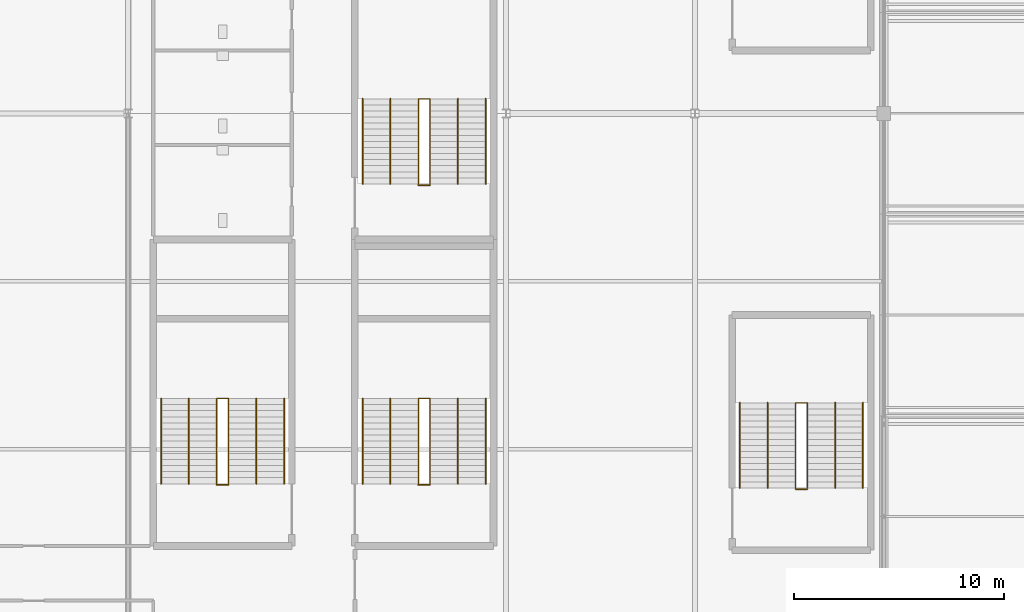
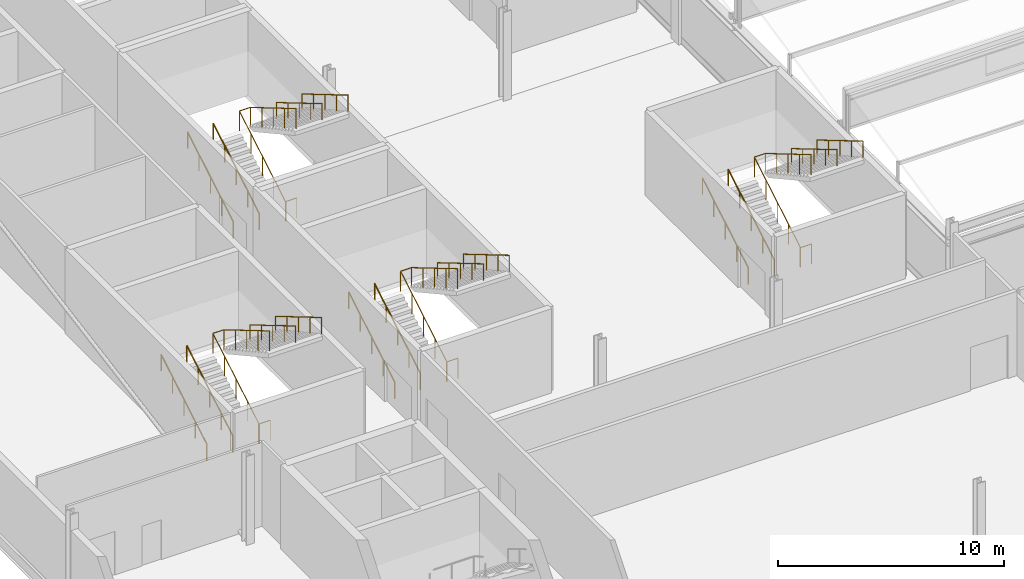
# One storey, part 127 of 136: 24 railings.
"""IFC4 building model written with IfcOpenShell, lengths in metres."""

from ifc_helpers import new_model, si_unit, direction, frame, origin, origin_2d, place, context, subcontext, project, spatial, circle, extrude, material, type_object, element, save


model = new_model("IFC4")

# Units and contexts
model_context = context("Model", 3, precision=1e-05, world=origin(), true_north=direction((0.0, 1.0)))
body_context = subcontext(model_context, "Body", "Model", "MODEL_VIEW")
ifc_project = project(units=[si_unit("LENGTHUNIT", "METRE"), si_unit("AREAUNIT", "SQUARE_METRE"), si_unit("VOLUMEUNIT", "CUBIC_METRE"), si_unit("PLANEANGLEUNIT", "RADIAN"), si_unit("MASSUNIT", "GRAM", prefix="KILO")], contexts=[model_context])

# Site, building, storey
site_placement = place(None, origin())
site = spatial("IfcSite", under=ifc_project, at=site_placement, CompositionType="ELEMENT")
building_placement = place(site_placement, origin())
building = spatial("IfcBuilding", under=site, at=building_placement, Name="Kisiwana Market Hall", CompositionType="ELEMENT")
storey_placement = place(building_placement, frame((0.0, 0.0, 16.800048828125)))
storey = spatial("IfcBuildingStorey", under=building, at=storey_placement, Name="L03", CompositionType="ELEMENT", Elevation=16.800048828125)

# Railings
ifc_material_1 = material(Name="Steel S275", Category="steel")
railing_type_1 = type_object("IfcRailingType", Name="RL-GUARD-1100", PredefinedType="GUARDRAIL", material=ifc_material_1)
railing_1_placement = place(storey_placement, frame((13.219970703125, 42.360107421875, 0.0)))
element("IfcRailing", 1, at=railing_1_placement, inside=storey, type_object=railing_type_1, Name="Stair ST-W3-L03 inner-well guardrail (RL-659)", PredefinedType="GUARDRAIL", context=body_context, shape_type="SweptSolid", body=[
    extrude(circle(Radius=0.02392578125, at=origin_2d()), frame((0.0, 0.0, 1.076171875), z_axis=(0.0, 0.860840976868, 0.508874063541), x_axis=(-1.0, 0.0, 0.0)), (0.0, 0.0, 1.0), 4.716064453125),
    extrude(circle(Radius=0.02392578125, at=origin_2d()), frame((0.0, 4.059814453125, 3.47607421875), z_axis=(1.0, 0.0, 0.0), x_axis=(0.0, 1.0, 0.0)), (0.0, 0.0, 1.0), 0.56005859375),
    extrude(circle(Radius=0.02392578125, at=origin_2d()), frame((0.56005859375, 4.059814453125, 3.47607421875), z_axis=(0.0, -0.860818299379, 0.50891242415), x_axis=(1.0, 0.0, 0.0)), (0.0, 0.0, 1.0), 4.71630859375),
    extrude(circle(Radius=0.02099609375, at=origin_2d()), origin(), (0.0, 0.0, 1.0), 1.052001953125),
    extrude(circle(Radius=0.02099609375, at=origin_2d()), frame((0.0, 1.014892578125, 0.60009765625)), (0.0, 0.0, 1.0), 1.052001953125),
    extrude(circle(Radius=0.02099609375, at=origin_2d()), frame((0.0, 2.02978515625, 1.199951171875)), (0.0, 0.0, 1.0), 1.052001953125),
    extrude(circle(Radius=0.02099609375, at=origin_2d()), frame((0.0, 3.044921875, 1.7998046875)), (0.0, 0.0, 1.0), 1.052001953125),
    extrude(circle(Radius=0.02099609375, at=origin_2d()), frame((0.0, 4.059814453125, 2.39990234375)), (0.0, 0.0, 1.0), 1.052001953125),
    extrude(circle(Radius=0.02099609375, at=origin_2d()), frame((0.56005859375, 4.059814453125, 2.39990234375)), (0.0, 0.0, 1.0), 1.052001953125),
    extrude(circle(Radius=0.02099609375, at=origin_2d()), frame((0.56005859375, 3.044921875, 3.0)), (0.0, 0.0, 1.0), 1.052001953125),
    extrude(circle(Radius=0.02099609375, at=origin_2d()), frame((0.56005859375, 2.02978515625, 3.60009765625)), (0.0, 0.0, 1.0), 1.052001953125),
    extrude(circle(Radius=0.02099609375, at=origin_2d()), frame((0.56005859375, 1.014892578125, 4.199951171875)), (0.0, 0.0, 1.0), 1.052001953125),
    extrude(circle(Radius=0.02099609375, at=origin_2d()), frame((0.56005859375, 0.0, 4.800048828125)), (0.0, 0.0, 1.0), 1.052001953125),
])
railing_2_placement = place(storey_placement, frame((13.219970703125, 42.31005859375, 0.0)))
element("IfcRailing", 2, at=railing_2_placement, inside=storey, type_object=railing_type_1, Name="Stair ST-W3-L03 landing edge guardrail (RL-664)", PredefinedType="GUARDRAIL", context=body_context, shape_type="SweptSolid", body=[
    extrude(circle(Radius=0.02392578125, at=origin_2d()), frame((0.0, 0.0, 1.076171875), z_axis=(1.0, 0.0, 0.0), x_axis=(0.0, 1.0, 0.0)), (0.0, 0.0, 1.0), 0.56005859375),
    extrude(circle(Radius=0.02099609375, at=origin_2d()), origin(), (0.0, 0.0, 1.0), 1.052001953125),
    extrude(circle(Radius=0.02099609375, at=origin_2d()), frame((0.56005859375, 0.0, 0.0)), (0.0, 0.0, 1.0), 1.052001953125),
])
railing_3_placement = place(storey_placement, frame((22.820068359375, 42.360107421875, 0.0)))
element("IfcRailing", 3, at=railing_3_placement, inside=storey, type_object=railing_type_1, Name="Stair ST-W7-L03 inner-well guardrail (RL-683)", PredefinedType="GUARDRAIL", context=body_context, shape_type="SweptSolid", body=[
    extrude(circle(Radius=0.02392578125, at=origin_2d()), frame((0.0, 0.0, 1.076171875), z_axis=(0.0, 0.860840976868, 0.508874063541), x_axis=(-1.0, 0.0, 0.0)), (0.0, 0.0, 1.0), 4.716064453125),
    extrude(circle(Radius=0.02392578125, at=origin_2d()), frame((0.0, 4.059814453125, 3.47607421875), z_axis=(1.0, 0.0, 0.0), x_axis=(0.0, 1.0, 0.0)), (0.0, 0.0, 1.0), 0.559814453125),
    extrude(circle(Radius=0.02392578125, at=origin_2d()), frame((0.559814453125, 4.059814453125, 3.47607421875), z_axis=(0.0, -0.860818299379, 0.50891242415), x_axis=(1.0, 0.0, 0.0)), (0.0, 0.0, 1.0), 4.71630859375),
    extrude(circle(Radius=0.02099609375, at=origin_2d()), origin(), (0.0, 0.0, 1.0), 1.052001953125),
    extrude(circle(Radius=0.02099609375, at=origin_2d()), frame((0.0, 1.014892578125, 0.60009765625)), (0.0, 0.0, 1.0), 1.052001953125),
    extrude(circle(Radius=0.02099609375, at=origin_2d()), frame((0.0, 2.02978515625, 1.199951171875)), (0.0, 0.0, 1.0), 1.052001953125),
    extrude(circle(Radius=0.02099609375, at=origin_2d()), frame((0.0, 3.044921875, 1.7998046875)), (0.0, 0.0, 1.0), 1.052001953125),
    extrude(circle(Radius=0.02099609375, at=origin_2d()), frame((0.0, 4.059814453125, 2.39990234375)), (0.0, 0.0, 1.0), 1.052001953125),
    extrude(circle(Radius=0.02099609375, at=origin_2d()), frame((0.559814453125, 4.059814453125, 2.39990234375)), (0.0, 0.0, 1.0), 1.052001953125),
    extrude(circle(Radius=0.02099609375, at=origin_2d()), frame((0.559814453125, 3.044921875, 3.0)), (0.0, 0.0, 1.0), 1.052001953125),
    extrude(circle(Radius=0.02099609375, at=origin_2d()), frame((0.559814453125, 2.02978515625, 3.60009765625)), (0.0, 0.0, 1.0), 1.052001953125),
    extrude(circle(Radius=0.02099609375, at=origin_2d()), frame((0.559814453125, 1.014892578125, 4.199951171875)), (0.0, 0.0, 1.0), 1.052001953125),
    extrude(circle(Radius=0.02099609375, at=origin_2d()), frame((0.559814453125, 0.0, 4.800048828125)), (0.0, 0.0, 1.0), 1.052001953125),
])
railing_4_placement = place(storey_placement, frame((22.820068359375, 42.31005859375, 0.0)))
element("IfcRailing", 4, at=railing_4_placement, inside=storey, type_object=railing_type_1, Name="Stair ST-W7-L03 landing edge guardrail (RL-688)", PredefinedType="GUARDRAIL", context=body_context, shape_type="SweptSolid", body=[
    extrude(circle(Radius=0.02392578125, at=origin_2d()), frame((0.0, 0.0, 1.076171875), z_axis=(1.0, 0.0, 0.0), x_axis=(0.0, 1.0, 0.0)), (0.0, 0.0, 1.0), 0.559814453125),
    extrude(circle(Radius=0.02099609375, at=origin_2d()), origin(), (0.0, 0.0, 1.0), 1.052001953125),
    extrude(circle(Radius=0.02099609375, at=origin_2d()), frame((0.559814453125, 0.0, 0.0)), (0.0, 0.0, 1.0), 1.052001953125),
])
railing_5_placement = place(storey_placement, frame((40.7900390625, 42.159912109375, 0.0)))
element("IfcRailing", 5, at=railing_5_placement, inside=storey, type_object=railing_type_1, Name="Stair ST-W9-L03 inner-well guardrail (RL-707)", PredefinedType="GUARDRAIL", context=body_context, shape_type="SweptSolid", body=[
    extrude(circle(Radius=0.02392578125, at=origin_2d()), frame((0.0, 0.0, 1.076171875), z_axis=(0.0, 0.8608543813, 0.508851387142), x_axis=(-1.0, 0.0, 0.0)), (0.0, 0.0, 1.0), 4.71630859375),
    extrude(circle(Radius=0.02392578125, at=origin_2d()), frame((0.0, 4.06005859375, 3.47607421875), z_axis=(1.0, 0.0, 0.0), x_axis=(0.0, 1.0, 0.0)), (0.0, 0.0, 1.0), 0.56005859375),
    extrude(circle(Radius=0.02392578125, at=origin_2d()), frame((0.56005859375, 4.06005859375, 3.47607421875), z_axis=(0.0, -0.860831705478, 0.508889747237), x_axis=(1.0, 0.0, 0.0)), (0.0, 0.0, 1.0), 4.716552734375),
    extrude(circle(Radius=0.02099609375, at=origin_2d()), origin(), (0.0, 0.0, 1.0), 1.052001953125),
    extrude(circle(Radius=0.02099609375, at=origin_2d()), frame((0.0, 1.01513671875, 0.60009765625)), (0.0, 0.0, 1.0), 1.052001953125),
    extrude(circle(Radius=0.02099609375, at=origin_2d()), frame((0.0, 2.030029296875, 1.199951171875)), (0.0, 0.0, 1.0), 1.052001953125),
    extrude(circle(Radius=0.02099609375, at=origin_2d()), frame((0.0, 3.044921875, 1.7998046875)), (0.0, 0.0, 1.0), 1.052001953125),
    extrude(circle(Radius=0.02099609375, at=origin_2d()), frame((0.0, 4.06005859375, 2.39990234375)), (0.0, 0.0, 1.0), 1.052001953125),
    extrude(circle(Radius=0.02099609375, at=origin_2d()), frame((0.56005859375, 4.06005859375, 2.39990234375)), (0.0, 0.0, 1.0), 1.052001953125),
    extrude(circle(Radius=0.02099609375, at=origin_2d()), frame((0.56005859375, 3.044921875, 3.0)), (0.0, 0.0, 1.0), 1.052001953125),
    extrude(circle(Radius=0.02099609375, at=origin_2d()), frame((0.56005859375, 2.030029296875, 3.60009765625)), (0.0, 0.0, 1.0), 1.052001953125),
    extrude(circle(Radius=0.02099609375, at=origin_2d()), frame((0.56005859375, 1.01513671875, 4.199951171875)), (0.0, 0.0, 1.0), 1.052001953125),
    extrude(circle(Radius=0.02099609375, at=origin_2d()), frame((0.56005859375, 0.0, 4.800048828125)), (0.0, 0.0, 1.0), 1.052001953125),
])
railing_6_placement = place(storey_placement, frame((40.7900390625, 42.110107421875, 0.0)))
element("IfcRailing", 6, at=railing_6_placement, inside=storey, type_object=railing_type_1, Name="Stair ST-W9-L03 landing edge guardrail (RL-712)", PredefinedType="GUARDRAIL", context=body_context, shape_type="SweptSolid", body=[
    extrude(circle(Radius=0.02392578125, at=origin_2d()), frame((0.0, 0.0, 1.076171875), z_axis=(1.0, 0.0, 0.0), x_axis=(0.0, 1.0, 0.0)), (0.0, 0.0, 1.0), 0.56005859375),
    extrude(circle(Radius=0.02099609375, at=origin_2d()), origin(), (0.0, 0.0, 1.0), 1.052001953125),
    extrude(circle(Radius=0.02099609375, at=origin_2d()), frame((0.56005859375, 0.0, 0.0)), (0.0, 0.0, 1.0), 1.052001953125),
])
railing_7_placement = place(storey_placement, frame((22.820068359375, 56.639892578125, 0.0)))
element("IfcRailing", 7, at=railing_7_placement, inside=storey, type_object=railing_type_1, Name="Stair ST-W5-L03 inner-well guardrail (RL-731)", PredefinedType="GUARDRAIL", context=body_context, shape_type="SweptSolid", body=[
    extrude(circle(Radius=0.02392578125, at=origin_2d()), frame((0.0, 0.0, 1.076171875), z_axis=(0.0, 0.8608543813, 0.508851387142), x_axis=(-1.0, 0.0, 0.0)), (0.0, 0.0, 1.0), 4.71630859375),
    extrude(circle(Radius=0.02392578125, at=origin_2d()), frame((0.0, 4.06005859375, 3.47607421875), z_axis=(1.0, 0.0, 0.0), x_axis=(0.0, 1.0, 0.0)), (0.0, 0.0, 1.0), 0.559814453125),
    extrude(circle(Radius=0.02392578125, at=origin_2d()), frame((0.559814453125, 4.06005859375, 3.47607421875), z_axis=(0.0, -0.860831705478, 0.508889747237), x_axis=(1.0, 0.0, 0.0)), (0.0, 0.0, 1.0), 4.716552734375),
    extrude(circle(Radius=0.02099609375, at=origin_2d()), origin(), (0.0, 0.0, 1.0), 1.052001953125),
    extrude(circle(Radius=0.02099609375, at=origin_2d()), frame((0.0, 1.01513671875, 0.60009765625)), (0.0, 0.0, 1.0), 1.052001953125),
    extrude(circle(Radius=0.02099609375, at=origin_2d()), frame((0.0, 2.030029296875, 1.199951171875)), (0.0, 0.0, 1.0), 1.052001953125),
    extrude(circle(Radius=0.02099609375, at=origin_2d()), frame((0.0, 3.044921875, 1.7998046875)), (0.0, 0.0, 1.0), 1.052001953125),
    extrude(circle(Radius=0.02099609375, at=origin_2d()), frame((0.0, 4.06005859375, 2.39990234375)), (0.0, 0.0, 1.0), 1.052001953125),
    extrude(circle(Radius=0.02099609375, at=origin_2d()), frame((0.559814453125, 4.06005859375, 2.39990234375)), (0.0, 0.0, 1.0), 1.052001953125),
    extrude(circle(Radius=0.02099609375, at=origin_2d()), frame((0.559814453125, 3.044921875, 3.0)), (0.0, 0.0, 1.0), 1.052001953125),
    extrude(circle(Radius=0.02099609375, at=origin_2d()), frame((0.559814453125, 2.030029296875, 3.60009765625)), (0.0, 0.0, 1.0), 1.052001953125),
    extrude(circle(Radius=0.02099609375, at=origin_2d()), frame((0.559814453125, 1.01513671875, 4.199951171875)), (0.0, 0.0, 1.0), 1.052001953125),
    extrude(circle(Radius=0.02099609375, at=origin_2d()), frame((0.559814453125, 0.0, 4.800048828125)), (0.0, 0.0, 1.0), 1.052001953125),
])
railing_8_placement = place(storey_placement, frame((22.820068359375, 56.590087890625, 0.0)))
element("IfcRailing", 8, at=railing_8_placement, inside=storey, type_object=railing_type_1, Name="Stair ST-W5-L03 landing edge guardrail (RL-736)", PredefinedType="GUARDRAIL", context=body_context, shape_type="SweptSolid", body=[
    extrude(circle(Radius=0.02392578125, at=origin_2d()), frame((0.0, 0.0, 1.076171875), z_axis=(1.0, 0.0, 0.0), x_axis=(0.0, 1.0, 0.0)), (0.0, 0.0, 1.0), 0.559814453125),
    extrude(circle(Radius=0.02099609375, at=origin_2d()), origin(), (0.0, 0.0, 1.0), 1.052001953125),
    extrude(circle(Radius=0.02099609375, at=origin_2d()), frame((0.559814453125, 0.0, 0.0)), (0.0, 0.0, 1.0), 1.052001953125),
])
ifc_material_2 = material(Name="Steel S275", Category="steel")
railing_type_2 = type_object("IfcRailingType", Name="RL-HAND-900", PredefinedType="HANDRAIL", material=ifc_material_2)
railing_9_placement = place(storey_placement, frame((10.570068359375, 42.360107421875, 0.0)))
element("IfcRailing", 9, at=railing_9_placement, inside=storey, type_object=railing_type_2, Name="Stair ST-W3-L03 flight 1 handrail (RL-660)", PredefinedType="HANDRAIL", context=body_context, shape_type="SweptSolid", body=[
    extrude(circle(Radius=0.02392578125, at=origin_2d()), frame((0.0, 0.0, 0.8759765625), z_axis=(0.0, 0.860840976868, 0.508874063541), x_axis=(-1.0, 0.0, 0.0)), (0.0, 0.0, 1.0), 4.716064453125),
    extrude(circle(Radius=0.02099609375, at=origin_2d()), origin(), (0.0, 0.0, 1.0), 0.851806640625),
    extrude(circle(Radius=0.02099609375, at=origin_2d()), frame((0.0, 1.014892578125, 0.60009765625)), (0.0, 0.0, 1.0), 0.851806640625),
    extrude(circle(Radius=0.02099609375, at=origin_2d()), frame((0.0, 2.02978515625, 1.199951171875)), (0.0, 0.0, 1.0), 0.851806640625),
    extrude(circle(Radius=0.02099609375, at=origin_2d()), frame((0.0, 3.044921875, 1.7998046875)), (0.0, 0.0, 1.0), 0.851806640625),
    extrude(circle(Radius=0.02099609375, at=origin_2d()), frame((0.0, 4.059814453125, 2.39990234375)), (0.0, 0.0, 1.0), 0.851806640625),
])
railing_10_placement = place(storey_placement, frame((16.429931640625, 46.419921875, 2.39990234375)))
element("IfcRailing", 10, at=railing_10_placement, inside=storey, type_object=railing_type_2, Name="Stair ST-W3-L03 flight 2 handrail (RL-661)", PredefinedType="HANDRAIL", context=body_context, shape_type="SweptSolid", body=[
    extrude(circle(Radius=0.02392578125, at=origin_2d()), frame((0.0, 0.0, 0.8759765625), z_axis=(0.0, -0.860818299379, 0.50891242415), x_axis=(1.0, 0.0, 0.0)), (0.0, 0.0, 1.0), 4.71630859375),
    extrude(circle(Radius=0.02099609375, at=origin_2d()), origin(), (0.0, 0.0, 1.0), 0.851806640625),
    extrude(circle(Radius=0.02099609375, at=origin_2d()), frame((0.0, -1.014892578125, 0.60009765625)), (0.0, 0.0, 1.0), 0.851806640625),
    extrude(circle(Radius=0.02099609375, at=origin_2d()), frame((0.0, -2.02978515625, 1.2001953125)), (0.0, 0.0, 1.0), 0.851806640625),
    extrude(circle(Radius=0.02099609375, at=origin_2d()), frame((0.0, -3.044921875, 1.800048828125)), (0.0, 0.0, 1.0), 0.851806640625),
    extrude(circle(Radius=0.02099609375, at=origin_2d()), frame((0.0, -4.059814453125, 2.400146484375)), (0.0, 0.0, 1.0), 0.851806640625),
])
railing_11_placement = place(storey_placement, frame((11.889892578125, 42.360107421875, 0.0)))
element("IfcRailing", 11, at=railing_11_placement, inside=storey, type_object=railing_type_2, Name="Stair ST-W3-L03 flight 1 intermediate handrail (RL-662)", PredefinedType="HANDRAIL", context=body_context, shape_type="SweptSolid", body=[
    extrude(circle(Radius=0.02392578125, at=origin_2d()), frame((0.0, 0.0, 0.8759765625), z_axis=(0.0, 0.860840976868, 0.508874063541), x_axis=(-1.0, 0.0, 0.0)), (0.0, 0.0, 1.0), 4.716064453125),
    extrude(circle(Radius=0.02099609375, at=origin_2d()), origin(), (0.0, 0.0, 1.0), 0.851806640625),
    extrude(circle(Radius=0.02099609375, at=origin_2d()), frame((0.0, 1.014892578125, 0.60009765625)), (0.0, 0.0, 1.0), 0.851806640625),
    extrude(circle(Radius=0.02099609375, at=origin_2d()), frame((0.0, 2.02978515625, 1.199951171875)), (0.0, 0.0, 1.0), 0.851806640625),
    extrude(circle(Radius=0.02099609375, at=origin_2d()), frame((0.0, 3.044921875, 1.7998046875)), (0.0, 0.0, 1.0), 0.851806640625),
    extrude(circle(Radius=0.02099609375, at=origin_2d()), frame((0.0, 4.059814453125, 2.39990234375)), (0.0, 0.0, 1.0), 0.851806640625),
])
railing_12_placement = place(storey_placement, frame((15.110107421875, 46.419921875, 2.39990234375)))
element("IfcRailing", 12, at=railing_12_placement, inside=storey, type_object=railing_type_2, Name="Stair ST-W3-L03 flight 2 intermediate handrail (RL-663)", PredefinedType="HANDRAIL", context=body_context, shape_type="SweptSolid", body=[
    extrude(circle(Radius=0.02392578125, at=origin_2d()), frame((0.0, 0.0, 0.8759765625), z_axis=(0.0, -0.860818299379, 0.50891242415), x_axis=(1.0, 0.0, 0.0)), (0.0, 0.0, 1.0), 4.71630859375),
    extrude(circle(Radius=0.02099609375, at=origin_2d()), origin(), (0.0, 0.0, 1.0), 0.851806640625),
    extrude(circle(Radius=0.02099609375, at=origin_2d()), frame((0.0, -1.014892578125, 0.60009765625)), (0.0, 0.0, 1.0), 0.851806640625),
    extrude(circle(Radius=0.02099609375, at=origin_2d()), frame((0.0, -2.02978515625, 1.2001953125)), (0.0, 0.0, 1.0), 0.851806640625),
    extrude(circle(Radius=0.02099609375, at=origin_2d()), frame((0.0, -3.044921875, 1.800048828125)), (0.0, 0.0, 1.0), 0.851806640625),
    extrude(circle(Radius=0.02099609375, at=origin_2d()), frame((0.0, -4.059814453125, 2.400146484375)), (0.0, 0.0, 1.0), 0.851806640625),
])
railing_13_placement = place(storey_placement, frame((20.169921875, 42.360107421875, 0.0)))
element("IfcRailing", 13, at=railing_13_placement, inside=storey, type_object=railing_type_2, Name="Stair ST-W7-L03 flight 1 handrail (RL-684)", PredefinedType="HANDRAIL", context=body_context, shape_type="SweptSolid", body=[
    extrude(circle(Radius=0.02392578125, at=origin_2d()), frame((0.0, 0.0, 0.8759765625), z_axis=(0.0, 0.860840976868, 0.508874063541), x_axis=(-1.0, 0.0, 0.0)), (0.0, 0.0, 1.0), 4.716064453125),
    extrude(circle(Radius=0.02099609375, at=origin_2d()), origin(), (0.0, 0.0, 1.0), 0.851806640625),
    extrude(circle(Radius=0.02099609375, at=origin_2d()), frame((0.0, 1.014892578125, 0.60009765625)), (0.0, 0.0, 1.0), 0.851806640625),
    extrude(circle(Radius=0.02099609375, at=origin_2d()), frame((0.0, 2.02978515625, 1.199951171875)), (0.0, 0.0, 1.0), 0.851806640625),
    extrude(circle(Radius=0.02099609375, at=origin_2d()), frame((0.0, 3.044921875, 1.7998046875)), (0.0, 0.0, 1.0), 0.851806640625),
    extrude(circle(Radius=0.02099609375, at=origin_2d()), frame((0.0, 4.059814453125, 2.39990234375)), (0.0, 0.0, 1.0), 0.851806640625),
])
railing_14_placement = place(storey_placement, frame((26.030029296875, 46.419921875, 2.39990234375)))
element("IfcRailing", 14, at=railing_14_placement, inside=storey, type_object=railing_type_2, Name="Stair ST-W7-L03 flight 2 handrail (RL-685)", PredefinedType="HANDRAIL", context=body_context, shape_type="SweptSolid", body=[
    extrude(circle(Radius=0.02392578125, at=origin_2d()), frame((0.0, 0.0, 0.8759765625), z_axis=(0.0, -0.860818299379, 0.50891242415), x_axis=(1.0, 0.0, 0.0)), (0.0, 0.0, 1.0), 4.71630859375),
    extrude(circle(Radius=0.02099609375, at=origin_2d()), origin(), (0.0, 0.0, 1.0), 0.851806640625),
    extrude(circle(Radius=0.02099609375, at=origin_2d()), frame((0.0, -1.014892578125, 0.60009765625)), (0.0, 0.0, 1.0), 0.851806640625),
    extrude(circle(Radius=0.02099609375, at=origin_2d()), frame((0.0, -2.02978515625, 1.2001953125)), (0.0, 0.0, 1.0), 0.851806640625),
    extrude(circle(Radius=0.02099609375, at=origin_2d()), frame((0.0, -3.044921875, 1.800048828125)), (0.0, 0.0, 1.0), 0.851806640625),
    extrude(circle(Radius=0.02099609375, at=origin_2d()), frame((0.0, -4.059814453125, 2.400146484375)), (0.0, 0.0, 1.0), 0.851806640625),
])
railing_15_placement = place(storey_placement, frame((21.489990234375, 42.360107421875, 0.0)))
element("IfcRailing", 15, at=railing_15_placement, inside=storey, type_object=railing_type_2, Name="Stair ST-W7-L03 flight 1 intermediate handrail (RL-686)", PredefinedType="HANDRAIL", context=body_context, shape_type="SweptSolid", body=[
    extrude(circle(Radius=0.02392578125, at=origin_2d()), frame((0.0, 0.0, 0.8759765625), z_axis=(0.0, 0.860840976868, 0.508874063541), x_axis=(-1.0, 0.0, 0.0)), (0.0, 0.0, 1.0), 4.716064453125),
    extrude(circle(Radius=0.02099609375, at=origin_2d()), origin(), (0.0, 0.0, 1.0), 0.851806640625),
    extrude(circle(Radius=0.02099609375, at=origin_2d()), frame((0.0, 1.014892578125, 0.60009765625)), (0.0, 0.0, 1.0), 0.851806640625),
    extrude(circle(Radius=0.02099609375, at=origin_2d()), frame((0.0, 2.02978515625, 1.199951171875)), (0.0, 0.0, 1.0), 0.851806640625),
    extrude(circle(Radius=0.02099609375, at=origin_2d()), frame((0.0, 3.044921875, 1.7998046875)), (0.0, 0.0, 1.0), 0.851806640625),
    extrude(circle(Radius=0.02099609375, at=origin_2d()), frame((0.0, 4.059814453125, 2.39990234375)), (0.0, 0.0, 1.0), 0.851806640625),
])
railing_16_placement = place(storey_placement, frame((24.7099609375, 46.419921875, 2.39990234375)))
element("IfcRailing", 16, at=railing_16_placement, inside=storey, type_object=railing_type_2, Name="Stair ST-W7-L03 flight 2 intermediate handrail (RL-687)", PredefinedType="HANDRAIL", context=body_context, shape_type="SweptSolid", body=[
    extrude(circle(Radius=0.02392578125, at=origin_2d()), frame((0.0, 0.0, 0.8759765625), z_axis=(0.0, -0.860818299379, 0.50891242415), x_axis=(1.0, 0.0, 0.0)), (0.0, 0.0, 1.0), 4.71630859375),
    extrude(circle(Radius=0.02099609375, at=origin_2d()), origin(), (0.0, 0.0, 1.0), 0.851806640625),
    extrude(circle(Radius=0.02099609375, at=origin_2d()), frame((0.0, -1.014892578125, 0.60009765625)), (0.0, 0.0, 1.0), 0.851806640625),
    extrude(circle(Radius=0.02099609375, at=origin_2d()), frame((0.0, -2.02978515625, 1.2001953125)), (0.0, 0.0, 1.0), 0.851806640625),
    extrude(circle(Radius=0.02099609375, at=origin_2d()), frame((0.0, -3.044921875, 1.800048828125)), (0.0, 0.0, 1.0), 0.851806640625),
    extrude(circle(Radius=0.02099609375, at=origin_2d()), frame((0.0, -4.059814453125, 2.400146484375)), (0.0, 0.0, 1.0), 0.851806640625),
])
railing_17_placement = place(storey_placement, frame((38.139892578125, 42.159912109375, 0.0)))
element("IfcRailing", 17, at=railing_17_placement, inside=storey, type_object=railing_type_2, Name="Stair ST-W9-L03 flight 1 handrail (RL-708)", PredefinedType="HANDRAIL", context=body_context, shape_type="SweptSolid", body=[
    extrude(circle(Radius=0.02392578125, at=origin_2d()), frame((0.0, 0.0, 0.8759765625), z_axis=(0.0, 0.8608543813, 0.508851387142), x_axis=(-1.0, 0.0, 0.0)), (0.0, 0.0, 1.0), 4.71630859375),
    extrude(circle(Radius=0.02099609375, at=origin_2d()), origin(), (0.0, 0.0, 1.0), 0.851806640625),
    extrude(circle(Radius=0.02099609375, at=origin_2d()), frame((0.0, 1.01513671875, 0.60009765625)), (0.0, 0.0, 1.0), 0.851806640625),
    extrude(circle(Radius=0.02099609375, at=origin_2d()), frame((0.0, 2.030029296875, 1.199951171875)), (0.0, 0.0, 1.0), 0.851806640625),
    extrude(circle(Radius=0.02099609375, at=origin_2d()), frame((0.0, 3.044921875, 1.7998046875)), (0.0, 0.0, 1.0), 0.851806640625),
    extrude(circle(Radius=0.02099609375, at=origin_2d()), frame((0.0, 4.06005859375, 2.39990234375)), (0.0, 0.0, 1.0), 0.851806640625),
])
railing_18_placement = place(storey_placement, frame((44.0, 46.219970703125, 2.39990234375)))
element("IfcRailing", 18, at=railing_18_placement, inside=storey, type_object=railing_type_2, Name="Stair ST-W9-L03 flight 2 handrail (RL-709)", PredefinedType="HANDRAIL", context=body_context, shape_type="SweptSolid", body=[
    extrude(circle(Radius=0.02392578125, at=origin_2d()), frame((0.0, 0.0, 0.8759765625), z_axis=(0.0, -0.860831705478, 0.508889747237), x_axis=(1.0, 0.0, 0.0)), (0.0, 0.0, 1.0), 4.716552734375),
    extrude(circle(Radius=0.02099609375, at=origin_2d()), origin(), (0.0, 0.0, 1.0), 0.851806640625),
    extrude(circle(Radius=0.02099609375, at=origin_2d()), frame((0.0, -1.01513671875, 0.60009765625)), (0.0, 0.0, 1.0), 0.851806640625),
    extrude(circle(Radius=0.02099609375, at=origin_2d()), frame((0.0, -2.030029296875, 1.2001953125)), (0.0, 0.0, 1.0), 0.851806640625),
    extrude(circle(Radius=0.02099609375, at=origin_2d()), frame((0.0, -3.044921875, 1.800048828125)), (0.0, 0.0, 1.0), 0.851806640625),
    extrude(circle(Radius=0.02099609375, at=origin_2d()), frame((0.0, -4.06005859375, 2.400146484375)), (0.0, 0.0, 1.0), 0.851806640625),
])
railing_19_placement = place(storey_placement, frame((39.4599609375, 42.159912109375, 0.0)))
element("IfcRailing", 19, at=railing_19_placement, inside=storey, type_object=railing_type_2, Name="Stair ST-W9-L03 flight 1 intermediate handrail (RL-710)", PredefinedType="HANDRAIL", context=body_context, shape_type="SweptSolid", body=[
    extrude(circle(Radius=0.02392578125, at=origin_2d()), frame((0.0, 0.0, 0.8759765625), z_axis=(0.0, 0.8608543813, 0.508851387142), x_axis=(-1.0, 0.0, 0.0)), (0.0, 0.0, 1.0), 4.71630859375),
    extrude(circle(Radius=0.02099609375, at=origin_2d()), origin(), (0.0, 0.0, 1.0), 0.851806640625),
    extrude(circle(Radius=0.02099609375, at=origin_2d()), frame((0.0, 1.01513671875, 0.60009765625)), (0.0, 0.0, 1.0), 0.851806640625),
    extrude(circle(Radius=0.02099609375, at=origin_2d()), frame((0.0, 2.030029296875, 1.199951171875)), (0.0, 0.0, 1.0), 0.851806640625),
    extrude(circle(Radius=0.02099609375, at=origin_2d()), frame((0.0, 3.044921875, 1.7998046875)), (0.0, 0.0, 1.0), 0.851806640625),
    extrude(circle(Radius=0.02099609375, at=origin_2d()), frame((0.0, 4.06005859375, 2.39990234375)), (0.0, 0.0, 1.0), 0.851806640625),
])
railing_20_placement = place(storey_placement, frame((42.679931640625, 46.219970703125, 2.39990234375)))
element("IfcRailing", 20, at=railing_20_placement, inside=storey, type_object=railing_type_2, Name="Stair ST-W9-L03 flight 2 intermediate handrail (RL-711)", PredefinedType="HANDRAIL", context=body_context, shape_type="SweptSolid", body=[
    extrude(circle(Radius=0.02392578125, at=origin_2d()), frame((0.0, 0.0, 0.8759765625), z_axis=(0.0, -0.860831705478, 0.508889747237), x_axis=(1.0, 0.0, 0.0)), (0.0, 0.0, 1.0), 4.716552734375),
    extrude(circle(Radius=0.02099609375, at=origin_2d()), origin(), (0.0, 0.0, 1.0), 0.851806640625),
    extrude(circle(Radius=0.02099609375, at=origin_2d()), frame((0.0, -1.01513671875, 0.60009765625)), (0.0, 0.0, 1.0), 0.851806640625),
    extrude(circle(Radius=0.02099609375, at=origin_2d()), frame((0.0, -2.030029296875, 1.2001953125)), (0.0, 0.0, 1.0), 0.851806640625),
    extrude(circle(Radius=0.02099609375, at=origin_2d()), frame((0.0, -3.044921875, 1.800048828125)), (0.0, 0.0, 1.0), 0.851806640625),
    extrude(circle(Radius=0.02099609375, at=origin_2d()), frame((0.0, -4.06005859375, 2.400146484375)), (0.0, 0.0, 1.0), 0.851806640625),
])
railing_21_placement = place(storey_placement, frame((20.169921875, 56.639892578125, 0.0)))
element("IfcRailing", 21, at=railing_21_placement, inside=storey, type_object=railing_type_2, Name="Stair ST-W5-L03 flight 1 handrail (RL-732)", PredefinedType="HANDRAIL", context=body_context, shape_type="SweptSolid", body=[
    extrude(circle(Radius=0.02392578125, at=origin_2d()), frame((0.0, 0.0, 0.8759765625), z_axis=(0.0, 0.8608543813, 0.508851387142), x_axis=(-1.0, 0.0, 0.0)), (0.0, 0.0, 1.0), 4.71630859375),
    extrude(circle(Radius=0.02099609375, at=origin_2d()), origin(), (0.0, 0.0, 1.0), 0.851806640625),
    extrude(circle(Radius=0.02099609375, at=origin_2d()), frame((0.0, 1.01513671875, 0.60009765625)), (0.0, 0.0, 1.0), 0.851806640625),
    extrude(circle(Radius=0.02099609375, at=origin_2d()), frame((0.0, 2.030029296875, 1.199951171875)), (0.0, 0.0, 1.0), 0.851806640625),
    extrude(circle(Radius=0.02099609375, at=origin_2d()), frame((0.0, 3.044921875, 1.7998046875)), (0.0, 0.0, 1.0), 0.851806640625),
    extrude(circle(Radius=0.02099609375, at=origin_2d()), frame((0.0, 4.06005859375, 2.39990234375)), (0.0, 0.0, 1.0), 0.851806640625),
])
railing_22_placement = place(storey_placement, frame((26.030029296875, 60.699951171875, 2.39990234375)))
element("IfcRailing", 22, at=railing_22_placement, inside=storey, type_object=railing_type_2, Name="Stair ST-W5-L03 flight 2 handrail (RL-733)", PredefinedType="HANDRAIL", context=body_context, shape_type="SweptSolid", body=[
    extrude(circle(Radius=0.02392578125, at=origin_2d()), frame((0.0, 0.0, 0.8759765625), z_axis=(0.0, -0.860831705478, 0.508889747237), x_axis=(1.0, 0.0, 0.0)), (0.0, 0.0, 1.0), 4.716552734375),
    extrude(circle(Radius=0.02099609375, at=origin_2d()), origin(), (0.0, 0.0, 1.0), 0.851806640625),
    extrude(circle(Radius=0.02099609375, at=origin_2d()), frame((0.0, -1.01513671875, 0.60009765625)), (0.0, 0.0, 1.0), 0.851806640625),
    extrude(circle(Radius=0.02099609375, at=origin_2d()), frame((0.0, -2.030029296875, 1.2001953125)), (0.0, 0.0, 1.0), 0.851806640625),
    extrude(circle(Radius=0.02099609375, at=origin_2d()), frame((0.0, -3.044921875, 1.800048828125)), (0.0, 0.0, 1.0), 0.851806640625),
    extrude(circle(Radius=0.02099609375, at=origin_2d()), frame((0.0, -4.06005859375, 2.400146484375)), (0.0, 0.0, 1.0), 0.851806640625),
])
railing_23_placement = place(storey_placement, frame((21.489990234375, 56.639892578125, 0.0)))
element("IfcRailing", 23, at=railing_23_placement, inside=storey, type_object=railing_type_2, Name="Stair ST-W5-L03 flight 1 intermediate handrail (RL-734)", PredefinedType="HANDRAIL", context=body_context, shape_type="SweptSolid", body=[
    extrude(circle(Radius=0.02392578125, at=origin_2d()), frame((0.0, 0.0, 0.8759765625), z_axis=(0.0, 0.8608543813, 0.508851387142), x_axis=(-1.0, 0.0, 0.0)), (0.0, 0.0, 1.0), 4.71630859375),
    extrude(circle(Radius=0.02099609375, at=origin_2d()), origin(), (0.0, 0.0, 1.0), 0.851806640625),
    extrude(circle(Radius=0.02099609375, at=origin_2d()), frame((0.0, 1.01513671875, 0.60009765625)), (0.0, 0.0, 1.0), 0.851806640625),
    extrude(circle(Radius=0.02099609375, at=origin_2d()), frame((0.0, 2.030029296875, 1.199951171875)), (0.0, 0.0, 1.0), 0.851806640625),
    extrude(circle(Radius=0.02099609375, at=origin_2d()), frame((0.0, 3.044921875, 1.7998046875)), (0.0, 0.0, 1.0), 0.851806640625),
    extrude(circle(Radius=0.02099609375, at=origin_2d()), frame((0.0, 4.06005859375, 2.39990234375)), (0.0, 0.0, 1.0), 0.851806640625),
])
railing_24_placement = place(storey_placement, frame((24.7099609375, 60.699951171875, 2.39990234375)))
element("IfcRailing", 24, at=railing_24_placement, inside=storey, type_object=railing_type_2, Name="Stair ST-W5-L03 flight 2 intermediate handrail (RL-735)", PredefinedType="HANDRAIL", context=body_context, shape_type="SweptSolid", body=[
    extrude(circle(Radius=0.02392578125, at=origin_2d()), frame((0.0, 0.0, 0.8759765625), z_axis=(0.0, -0.860831705478, 0.508889747237), x_axis=(1.0, 0.0, 0.0)), (0.0, 0.0, 1.0), 4.716552734375),
    extrude(circle(Radius=0.02099609375, at=origin_2d()), origin(), (0.0, 0.0, 1.0), 0.851806640625),
    extrude(circle(Radius=0.02099609375, at=origin_2d()), frame((0.0, -1.01513671875, 0.60009765625)), (0.0, 0.0, 1.0), 0.851806640625),
    extrude(circle(Radius=0.02099609375, at=origin_2d()), frame((0.0, -2.030029296875, 1.2001953125)), (0.0, 0.0, 1.0), 0.851806640625),
    extrude(circle(Radius=0.02099609375, at=origin_2d()), frame((0.0, -3.044921875, 1.800048828125)), (0.0, 0.0, 1.0), 0.851806640625),
    extrude(circle(Radius=0.02099609375, at=origin_2d()), frame((0.0, -4.06005859375, 2.400146484375)), (0.0, 0.0, 1.0), 0.851806640625),
])

save(model, "model.ifc")
